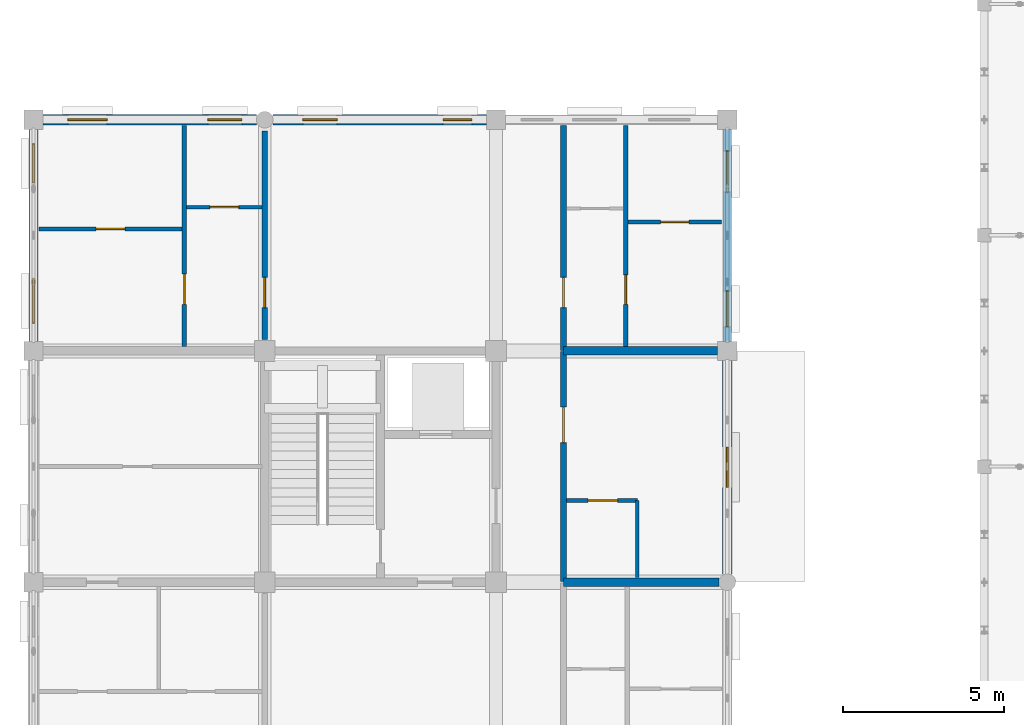
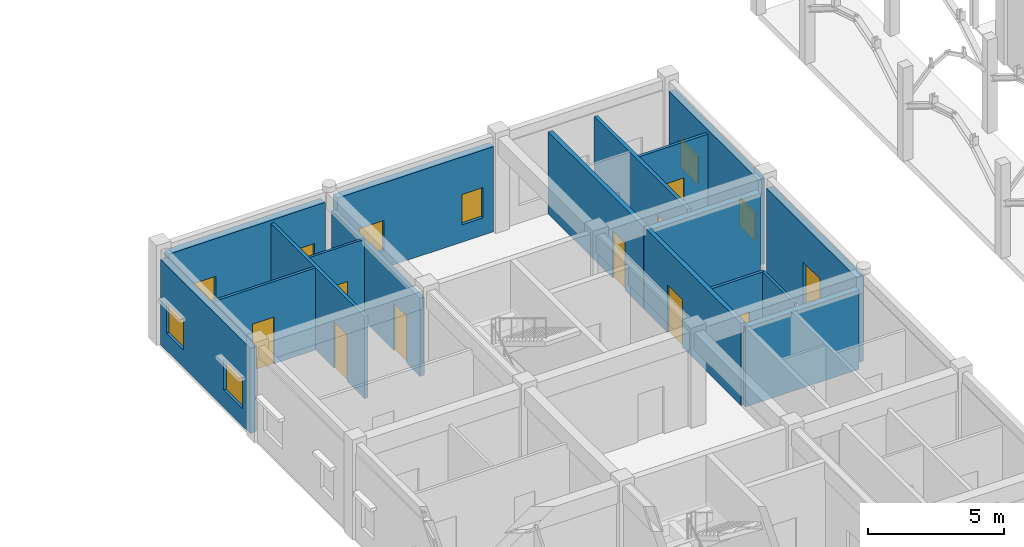
# One storey, part 107 of 138: 17 walls, 10 doors, 8 windows, 18 openings.
"""IFC4 building model written with IfcOpenShell, lengths in metres."""

from ifc_helpers import new_model, si_unit, direction, frame, frame_2d, origin, place, context, subcontext, project, spatial, rectangle, extrude, material, layer, layer_set, type_object, element, fill, save


model = new_model("IFC4")

# Units and contexts
model_context = context("Model", 3, precision=1e-05, world=origin(), true_north=direction((0.0, 1.0)))
body_context = subcontext(model_context, "Body", "Model", "MODEL_VIEW")
ifc_project = project(units=[si_unit("LENGTHUNIT", "METRE"), si_unit("AREAUNIT", "SQUARE_METRE"), si_unit("VOLUMEUNIT", "CUBIC_METRE"), si_unit("PLANEANGLEUNIT", "RADIAN"), si_unit("MASSUNIT", "GRAM", prefix="KILO"), si_unit("THERMODYNAMICTEMPERATUREUNIT", "KELVIN"), si_unit("POWERUNIT", "WATT")], contexts=[model_context])

# Site, building, storey
site_placement = place(None, origin())
site = spatial("IfcSite", under=ifc_project, at=site_placement, CompositionType="ELEMENT")
building_placement = place(site_placement, origin())
building = spatial("IfcBuilding", under=site, at=building_placement, Name="Tavuni Mirador Residences", CompositionType="ELEMENT")
storey_placement = place(building_placement, origin())
storey = spatial("IfcBuildingStorey", under=building, at=storey_placement, Name="L00", CompositionType="ELEMENT", Elevation=0.0)

# Wall, opening, door
ifc_material_1 = material(Name="Precast concrete C40/50", Category="concrete")
ifc_layer_1 = layer(ifc_material_1, 0.18505859375, Name="Precast concrete C40/50", Category="concrete")
ifc_layer_set_1 = layer_set([ifc_layer_1], Name="Precast concrete C40/50")
wall_type_1 = type_object("IfcWallType", Name="WT-CORR185", PredefinedType="PARTITIONING", material=ifc_layer_set_1)
wall_1_placement = place(storey_placement, frame((20.10009765625, 86.419921875, 0.0), z_axis=(0.0, 0.0, 1.0), x_axis=(0.0, 1.0, 0.0)))
wall_1 = element("IfcWall", 1, at=wall_1_placement, inside=storey, type_object=wall_type_1, Name="CORW-BLK-B-L00-0-03", PredefinedType="PARTITIONING", context=body_context, shape_type="SweptSolid", body=[
    extrude(rectangle(XDim=7.16015625, YDim=0.18505859375, at=frame_2d((3.580078125, 0.0))), origin(), (0.0, 0.0, 1.0), 3.695068359375),
])
opening_1_placement = place(wall_1_placement, frame((4.330078125, 0.0, 0.0)))
opening_1 = element("IfcOpeningElement", 2, at=opening_1_placement, cuts=wall_1, Name="Opening D-02", PredefinedType="OPENING", context=body_context, shape_type="SweptSolid", body=[
    extrude(rectangle(XDim=1.10009765625, YDim=2.14990234375, at=frame_2d((0.550048828125, 1.074951171875))), frame((0.0, 0.1025390625, 0.0), z_axis=(0.0, -1.0, 0.0), x_axis=(1.0, 0.0, 0.0)), (0.0, 0.0, 1.0), 0.205078125),
])
ifc_material_2 = material(Name="Solid core iroko timber", Category="wood")
door_type_1 = type_object("IfcDoorType", Name="DT-LOB1100", OperationType="NOTDEFINED", PredefinedType="DOOR", material=ifc_material_2)
door_1_placement = place(opening_1_placement, origin())
door_1 = element("IfcDoor", 3, at=door_1_placement, inside=storey, type_object=door_type_1, Name="DR-2532", OperationType="SINGLE_SWING_LEFT", OverallHeight=2.14990234375, OverallWidth=1.10009765625, PredefinedType="DOOR", context=body_context, shape_type="SweptSolid", body=[
    extrude(rectangle(XDim=1.10009765625, YDim=2.14990234375, at=frame_2d((0.550048828125, 1.074951171875))), frame((0.0, 0.02490234375, 0.0), z_axis=(0.0, -1.0, 0.0), x_axis=(1.0, 0.0, 0.0)), (0.0, 0.0, 1.0), 0.050048828125),
])
fill(opening_1, door_1)

wall_2_placement = place(storey_placement, frame((20.10009765625, 93.6201171875, 0.0), z_axis=(0.0, 0.0, 1.0), x_axis=(0.0, 1.0, 0.0)))
wall_2 = element("IfcWall", 4, at=wall_2_placement, inside=storey, type_object=wall_type_1, Name="CORW-BLK-B-L00-0-04", PredefinedType="PARTITIONING", context=body_context, shape_type="SweptSolid", body=[
    extrude(rectangle(XDim=7.0048828125, YDim=0.18505859375, at=frame_2d((3.50244140625, 0.0))), origin(), (0.0, 0.0, 1.0), 3.695068359375),
])
opening_2_placement = place(wall_2_placement, frame((1.330078125, 0.0, 0.0)))
opening_2 = element("IfcOpeningElement", 5, at=opening_2_placement, cuts=wall_2, Name="Opening D-19", PredefinedType="OPENING", context=body_context, shape_type="SweptSolid", body=[
    extrude(rectangle(XDim=0.93994140625, YDim=2.1201171875, at=frame_2d((0.469970703125, 1.06005859375))), frame((0.0, 0.1025390625, 0.0), z_axis=(0.0, -1.0, 0.0), x_axis=(1.0, 0.0, 0.0)), (0.0, 0.0, 1.0), 0.205078125),
])
door_type_2 = type_object("IfcDoorType", Name="DT-FD60-940", OperationType="NOTDEFINED", PredefinedType="DOOR", material=ifc_material_2)
door_2_placement = place(opening_2_placement, origin())
door_2 = element("IfcDoor", 6, at=door_2_placement, inside=storey, type_object=door_type_2, Name="DR-2533", OperationType="SINGLE_SWING_RIGHT", OverallHeight=2.1201171875, OverallWidth=0.93994140625, PredefinedType="DOOR", context=body_context, shape_type="SweptSolid", body=[
    extrude(rectangle(XDim=0.93994140625, YDim=2.1201171875, at=frame_2d((0.469970703125, 1.06005859375))), frame((0.0, 0.02490234375, 0.0), z_axis=(0.0, -1.0, 0.0), x_axis=(1.0, 0.0, 0.0)), (0.0, 0.0, 1.0), 0.050048828125),
])
fill(opening_2, door_2)

wall_3_placement = place(storey_placement, frame((10.800048828125, 93.949951171875, 0.0), z_axis=(0.0, 0.0, 1.0), x_axis=(0.0, 1.0, 0.0)))
wall_3 = element("IfcWall", 7, at=wall_3_placement, inside=storey, type_object=wall_type_1, Name="CORW-BLK-B-L00-1-04", PredefinedType="PARTITIONING", context=body_context, shape_type="SweptSolid", body=[
    extrude(rectangle(XDim=6.5, YDim=0.18505859375, at=frame_2d((3.25, 0.0))), origin(), (0.0, 0.0, 1.0), 3.510009765625),
])
opening_3_placement = place(wall_3_placement, frame((1.0, 0.0, 0.0)))
opening_3 = element("IfcOpeningElement", 8, at=opening_3_placement, cuts=wall_3, Name="Opening D-19", PredefinedType="OPENING", context=body_context, shape_type="SweptSolid", body=[
    extrude(rectangle(XDim=0.93994140625, YDim=2.1201171875, at=frame_2d((0.469970703125, 1.06005859375))), frame((0.0, 0.1025390625, 0.0), z_axis=(0.0, -1.0, 0.0), x_axis=(1.0, 0.0, 0.0)), (0.0, 0.0, 1.0), 0.205078125),
])
door_3_placement = place(opening_3_placement, origin())
door_3 = element("IfcDoor", 9, at=door_3_placement, inside=storey, type_object=door_type_2, Name="DR-2536", OperationType="SINGLE_SWING_LEFT", OverallHeight=2.1201171875, OverallWidth=0.93994140625, PredefinedType="DOOR", context=body_context, shape_type="SweptSolid", body=[
    extrude(rectangle(XDim=0.93994140625, YDim=2.1201171875, at=frame_2d((0.469970703125, 1.06005859375))), frame((0.0, 0.02490234375, 0.0), z_axis=(0.0, -1.0, 0.0), x_axis=(1.0, 0.0, 0.0)), (0.0, 0.0, 1.0), 0.050048828125),
])
fill(opening_3, door_3)

# Wall, openings, windows
ifc_layer_2 = layer(ifc_material_1, 0.330078125, Name="Precast concrete C40/50", Category="concrete")
ifc_layer_set_2 = layer_set([ifc_layer_2], Name="Precast concrete C40/50")
wall_type_2 = type_object("IfcWallType", Name="WT-EXT-COR330", PredefinedType="SOLIDWALL", material=ifc_layer_set_2)
wall_4_placement = place(storey_placement, frame((10.5400390625, 100.800048828125, 0.0), z_axis=(0.0, 0.0, 1.0), x_axis=(-1.0, 0.0, 0.0)))
wall_4 = element("IfcWall", 10, at=wall_4_placement, inside=storey, type_object=wall_type_2, Name="EW-BLK-B-L00-N00", PredefinedType="SOLIDWALL", context=body_context, shape_type="SweptSolid", body=[
    extrude(rectangle(XDim=6.64013671875, YDim=0.330078125, at=frame_2d((3.320068359375, 0.0))), origin(), (0.0, 0.0, 1.0), 3.830078125),
])
opening_4_placement = place(wall_4_placement, frame((0.449951171875, 0.0, 0.780029296875)))
opening_4 = element("IfcOpeningElement", 11, at=opening_4_placement, cuts=wall_4, Name="Opening WN-19", PredefinedType="OPENING", context=body_context, shape_type="SweptSolid", body=[
    extrude(rectangle(XDim=1.06005859375, YDim=1.360107421875, at=frame_2d((0.530029296875, 0.68017578125))), frame((0.0, 0.175048828125, 0.0), z_axis=(0.0, -1.0, 0.0), x_axis=(1.0, 0.0, 0.0)), (0.0, 0.0, 1.0), 0.35009765625),
])
opening_5_placement = place(wall_4_placement, frame((4.64990234375, 0.0, 0.780029296875)))
opening_5 = element("IfcOpeningElement", 12, at=opening_5_placement, cuts=wall_4, Name="Opening WN-21", PredefinedType="OPENING", context=body_context, shape_type="SweptSolid", body=[
    extrude(rectangle(XDim=1.219970703125, YDim=1.360107421875, at=frame_2d((0.60986328125, 0.68017578125))), frame((0.0, 0.175048828125, 0.0), z_axis=(0.0, -1.0, 0.0), x_axis=(1.0, 0.0, 0.0)), (0.0, 0.0, 1.0), 0.35009765625),
])
ifc_material_3 = material(Name="Laminated solar-control glass", Category="glass")
window_type_1 = type_object("IfcWindowType", Name="WNT-19", PartitioningType="SINGLE_PANEL", PredefinedType="WINDOW", material=ifc_material_3)
window_1_placement = place(opening_4_placement, origin())
window_1 = element("IfcWindow", 13, at=window_1_placement, inside=storey, type_object=window_type_1, Name="WIN-0558", OverallHeight=1.360107421875, OverallWidth=1.06005859375, PartitioningType="SINGLE_PANEL", PredefinedType="WINDOW", context=body_context, shape_type="SweptSolid", body=[
    extrude(rectangle(XDim=1.06005859375, YDim=1.360107421875, at=frame_2d((0.530029296875, 0.68017578125))), frame((0.0, 0.030029296875, 0.0), z_axis=(0.0, -1.0, 0.0), x_axis=(1.0, 0.0, 0.0)), (0.0, 0.0, 1.0), 0.06005859375),
])
fill(opening_4, window_1)
window_type_2 = type_object("IfcWindowType", Name="WNT-21", PartitioningType="SINGLE_PANEL", PredefinedType="WINDOW", material=ifc_material_3)
window_2_placement = place(opening_5_placement, origin())
window_2 = element("IfcWindow", 14, at=window_2_placement, inside=storey, type_object=window_type_2, Name="WIN-0559", OverallHeight=1.360107421875, OverallWidth=1.219970703125, PartitioningType="SINGLE_PANEL", PredefinedType="WINDOW", context=body_context, shape_type="SweptSolid", body=[
    extrude(rectangle(XDim=1.219970703125, YDim=1.360107421875, at=frame_2d((0.60986328125, 0.68017578125))), frame((0.0, 0.030029296875, 0.0), z_axis=(0.0, -1.0, 0.0), x_axis=(1.0, 0.0, 0.0)), (0.0, 0.0, 1.0), 0.06005859375),
])
fill(opening_5, window_2)

ifc_material_4 = material(Name="Sgraffito lime-rendered precast concrete C40/50", Category="concrete")
ifc_layer_3 = layer(ifc_material_4, 0.27490234375, Name="Sgraffito lime-rendered precast concrete C40/50", Category="concrete")
ifc_layer_set_3 = layer_set([ifc_layer_3], Name="Sgraffito lime-rendered precast concrete C40/50")
wall_type_3 = type_object("IfcWallType", Name="WT-EXT-PC275", PredefinedType="SOLIDWALL", material=ifc_layer_set_3)
wall_5_placement = place(storey_placement, frame((25.199951171875, 93.89990234375, 0.0), z_axis=(0.0, 0.0, 1.0), x_axis=(0.0, 1.0, 0.0)))
wall_5 = element("IfcWall", 15, at=wall_5_placement, inside=storey, type_object=wall_type_3, Name="EW-BLK-B-L00-E04", PredefinedType="SOLIDWALL", context=body_context, shape_type="SweptSolid", body=[
    extrude(rectangle(XDim=6.60009765625, YDim=0.27490234375, at=frame_2d((3.300048828125, 0.0))), origin(), (0.0, 0.0, 1.0), 3.830078125),
])
opening_6_placement = place(wall_5_placement, frame((0.449951171875, 0.0, 0.780029296875)))
opening_6 = element("IfcOpeningElement", 16, at=opening_6_placement, cuts=wall_5, Name="Opening WN-12", PredefinedType="OPENING", context=body_context, shape_type="SweptSolid", body=[
    extrude(rectangle(XDim=1.1201171875, YDim=1.260009765625, at=frame_2d((0.56005859375, 0.6298828125))), frame((0.0, 0.1474609375, 0.0), z_axis=(0.0, -1.0, 0.0), x_axis=(1.0, 0.0, 0.0)), (0.0, 0.0, 1.0), 0.294921875),
])
opening_7_placement = place(wall_5_placement, frame((4.64990234375, 0.0, 0.780029296875)))
opening_7 = element("IfcOpeningElement", 17, at=opening_7_placement, cuts=wall_5, Name="Opening WN-14", PredefinedType="OPENING", context=body_context, shape_type="SweptSolid", body=[
    extrude(rectangle(XDim=1.280029296875, YDim=1.260009765625, at=frame_2d((0.64013671875, 0.6298828125))), frame((0.0, 0.1474609375, 0.0), z_axis=(0.0, -1.0, 0.0), x_axis=(1.0, 0.0, 0.0)), (0.0, 0.0, 1.0), 0.294921875),
])
window_type_3 = type_object("IfcWindowType", Name="WNT-12", PartitioningType="SINGLE_PANEL", PredefinedType="WINDOW", material=ifc_material_3)
window_3_placement = place(opening_6_placement, origin())
window_3 = element("IfcWindow", 18, at=window_3_placement, inside=storey, type_object=window_type_3, Name="WIN-0551", OverallHeight=1.260009765625, OverallWidth=1.1201171875, PartitioningType="SINGLE_PANEL", PredefinedType="WINDOW", context=body_context, shape_type="SweptSolid", body=[
    extrude(rectangle(XDim=1.1201171875, YDim=1.260009765625, at=frame_2d((0.56005859375, 0.6298828125))), frame((0.0, 0.030029296875, 0.0), z_axis=(0.0, -1.0, 0.0), x_axis=(1.0, 0.0, 0.0)), (0.0, 0.0, 1.0), 0.06005859375),
])
fill(opening_6, window_3)
window_type_4 = type_object("IfcWindowType", Name="WNT-14", PartitioningType="SINGLE_PANEL", PredefinedType="WINDOW", material=ifc_material_3)
window_4_placement = place(opening_7_placement, origin())
window_4 = element("IfcWindow", 19, at=window_4_placement, inside=storey, type_object=window_type_4, Name="WIN-0552", OverallHeight=1.260009765625, OverallWidth=1.280029296875, PartitioningType="SINGLE_PANEL", PredefinedType="WINDOW", context=body_context, shape_type="SweptSolid", body=[
    extrude(rectangle(XDim=1.280029296875, YDim=1.260009765625, at=frame_2d((0.64013671875, 0.6298828125))), frame((0.0, 0.030029296875, 0.0), z_axis=(0.0, -1.0, 0.0), x_axis=(1.0, 0.0, 0.0)), (0.0, 0.0, 1.0), 0.06005859375),
])
fill(opening_7, window_4)

wall_6_placement = place(storey_placement, frame((3.60009765625, 100.5, 0.0), z_axis=(0.0, 0.0, 1.0), x_axis=(0.0, -1.0, 0.0)))
wall_6 = element("IfcWall", 20, at=wall_6_placement, inside=storey, type_object=wall_type_3, Name="EW-BLK-B-L00-W04", PredefinedType="SOLIDWALL", context=body_context, shape_type="SweptSolid", body=[
    extrude(rectangle(XDim=6.60009765625, YDim=0.27490234375, at=frame_2d((3.300048828125, 0.0))), origin(), (0.0, 0.0, 1.0), 3.830078125),
])
opening_8_placement = place(wall_6_placement, frame((0.449951171875, 0.0, 0.780029296875)))
opening_8 = element("IfcOpeningElement", 21, at=opening_8_placement, cuts=wall_6, Name="Opening WN-21", PredefinedType="OPENING", context=body_context, shape_type="SweptSolid", body=[
    extrude(rectangle(XDim=1.219970703125, YDim=1.360107421875, at=frame_2d((0.60986328125, 0.68017578125))), frame((0.0, 0.1474609375, 0.0), z_axis=(0.0, -1.0, 0.0), x_axis=(1.0, 0.0, 0.0)), (0.0, 0.0, 1.0), 0.294921875),
])
opening_9_placement = place(wall_6_placement, frame((4.64990234375, 0.0, 0.780029296875)))
opening_9 = element("IfcOpeningElement", 22, at=opening_9_placement, cuts=wall_6, Name="Opening WN-23", PredefinedType="OPENING", context=body_context, shape_type="SweptSolid", body=[
    extrude(rectangle(XDim=1.3798828125, YDim=1.360107421875, at=frame_2d((0.68994140625, 0.68017578125))), frame((0.0, 0.1474609375, 0.0), z_axis=(0.0, -1.0, 0.0), x_axis=(1.0, 0.0, 0.0)), (0.0, 0.0, 1.0), 0.294921875),
])
window_5_placement = place(opening_8_placement, origin())
window_5 = element("IfcWindow", 23, at=window_5_placement, inside=storey, type_object=window_type_2, Name="WIN-0560", OverallHeight=1.360107421875, OverallWidth=1.219970703125, PartitioningType="SINGLE_PANEL", PredefinedType="WINDOW", context=body_context, shape_type="SweptSolid", body=[
    extrude(rectangle(XDim=1.219970703125, YDim=1.360107421875, at=frame_2d((0.60986328125, 0.68017578125))), frame((0.0, 0.030029296875, 0.0), z_axis=(0.0, -1.0, 0.0), x_axis=(1.0, 0.0, 0.0)), (0.0, 0.0, 1.0), 0.06005859375),
])
fill(opening_8, window_5)
window_type_5 = type_object("IfcWindowType", Name="WNT-23", PartitioningType="SINGLE_PANEL", PredefinedType="WINDOW", material=ifc_material_3)
window_6_placement = place(opening_9_placement, origin())
window_6 = element("IfcWindow", 24, at=window_6_placement, inside=storey, type_object=window_type_5, Name="WIN-0561", OverallHeight=1.360107421875, OverallWidth=1.3798828125, PartitioningType="SINGLE_PANEL", PredefinedType="WINDOW", context=body_context, shape_type="SweptSolid", body=[
    extrude(rectangle(XDim=1.3798828125, YDim=1.360107421875, at=frame_2d((0.68994140625, 0.68017578125))), frame((0.0, 0.030029296875, 0.0), z_axis=(0.0, -1.0, 0.0), x_axis=(1.0, 0.0, 0.0)), (0.0, 0.0, 1.0), 0.06005859375),
])
fill(opening_9, window_6)

# Wall, opening, door
ifc_layer_4 = layer(ifc_material_4, 0.2900390625, Name="Sgraffito lime-rendered precast concrete C40/50", Category="concrete")
ifc_layer_set_4 = layer_set([ifc_layer_4], Name="Sgraffito lime-rendered precast concrete C40/50")
wall_type_4 = type_object("IfcWallType", Name="WT-EXT-PC290", PredefinedType="SOLIDWALL", material=ifc_layer_set_4)
wall_7_placement = place(storey_placement, frame((25.199951171875, 86.659912109375, 0.0), z_axis=(0.0, 0.0, 1.0), x_axis=(0.0, 1.0, 0.0)))
wall_7 = element("IfcWall", 25, at=wall_7_placement, inside=storey, type_object=wall_type_4, Name="EW-BLK-B-L00-E03", PredefinedType="SOLIDWALL", context=body_context, shape_type="SweptSolid", body=[
    extrude(rectangle(XDim=6.64013671875, YDim=0.2900390625, at=frame_2d((3.320068359375, 0.0))), origin(), (0.0, 0.0, 1.0), 3.830078125),
])
opening_10_placement = place(wall_7_placement, frame((2.695068359375, 0.0, 0.0)))
opening_10 = element("IfcOpeningElement", 26, at=opening_10_placement, cuts=wall_7, Name="Opening ND-01", PredefinedType="OPENING", context=body_context, shape_type="SweptSolid", body=[
    extrude(rectangle(XDim=1.25, YDim=2.14990234375, at=frame_2d((0.625, 1.074951171875))), frame((0.0, 0.155029296875, 0.0), z_axis=(0.0, -1.0, 0.0), x_axis=(1.0, 0.0, 0.0)), (0.0, 0.0, 1.0), 0.31005859375),
])
door_type_3 = type_object("IfcDoorType", Name="DT-NUR1250", OperationType="NOTDEFINED", PredefinedType="DOOR", material=ifc_material_2)
door_4_placement = place(opening_10_placement, frame((1.25, 0.0, 0.0), z_axis=(0.0, 0.0, 1.0), x_axis=(-1.0, 0.0, 0.0)))
door_4 = element("IfcDoor", 27, at=door_4_placement, inside=storey, type_object=door_type_3, Name="Final exit door EX-008", OperationType="SINGLE_SWING_LEFT", OverallHeight=2.14990234375, OverallWidth=1.25, PredefinedType="DOOR", context=body_context, shape_type="SweptSolid", body=[
    extrude(rectangle(XDim=1.25, YDim=2.14990234375, at=frame_2d((0.625, 1.074951171875))), frame((0.0, 0.02490234375, 0.0), z_axis=(0.0, -1.0, 0.0), x_axis=(1.0, 0.0, 0.0)), (0.0, 0.0, 1.0), 0.050048828125),
])
fill(opening_10, door_4)

# Wall, openings, windows
ifc_layer_5 = layer(ifc_material_4, 0.31494140625, Name="Sgraffito lime-rendered precast concrete C40/50", Category="concrete")
ifc_layer_set_5 = layer_set([ifc_layer_5], Name="Sgraffito lime-rendered precast concrete C40/50")
wall_type_5 = type_object("IfcWallType", Name="WT-EXT-PC315", PredefinedType="SOLIDWALL", material=ifc_layer_set_5)
wall_8_placement = place(storey_placement, frame((17.699951171875, 100.800048828125, 0.0), z_axis=(0.0, 0.0, 1.0), x_axis=(-1.0, 0.0, 0.0)))
wall_8 = element("IfcWall", 28, at=wall_8_placement, inside=storey, type_object=wall_type_5, Name="EW-BLK-B-L00-N01", PredefinedType="SOLIDWALL", context=body_context, shape_type="SweptSolid", body=[
    extrude(rectangle(XDim=6.639892578125, YDim=0.31494140625, at=frame_2d((3.31982421875, 0.0))), origin(), (0.0, 0.0, 1.0), 3.830078125),
])
opening_11_placement = place(wall_8_placement, frame((0.449951171875, 0.0, 0.780029296875)))
opening_11 = element("IfcOpeningElement", 29, at=opening_11_placement, cuts=wall_8, Name="Opening WN-17", PredefinedType="OPENING", context=body_context, shape_type="SweptSolid", body=[
    extrude(rectangle(XDim=0.89990234375, YDim=1.360107421875, at=frame_2d((0.449951171875, 0.68017578125))), frame((0.0, 0.16748046875, 0.0), z_axis=(0.0, -1.0, 0.0), x_axis=(1.0, 0.0, 0.0)), (0.0, 0.0, 1.0), 0.3349609375),
])
opening_12_placement = place(wall_8_placement, frame((4.64990234375, 0.0, 0.780029296875)))
opening_12 = element("IfcOpeningElement", 30, at=opening_12_placement, cuts=wall_8, Name="Opening WN-19", PredefinedType="OPENING", context=body_context, shape_type="SweptSolid", body=[
    extrude(rectangle(XDim=1.06005859375, YDim=1.360107421875, at=frame_2d((0.530029296875, 0.68017578125))), frame((0.0, 0.16748046875, 0.0), z_axis=(0.0, -1.0, 0.0), x_axis=(1.0, 0.0, 0.0)), (0.0, 0.0, 1.0), 0.3349609375),
])
window_type_6 = type_object("IfcWindowType", Name="WNT-17", PartitioningType="SINGLE_PANEL", PredefinedType="WINDOW", material=ifc_material_3)
window_7_placement = place(opening_11_placement, origin())
window_7 = element("IfcWindow", 31, at=window_7_placement, inside=storey, type_object=window_type_6, Name="WIN-0556", OverallHeight=1.360107421875, OverallWidth=0.89990234375, PartitioningType="SINGLE_PANEL", PredefinedType="WINDOW", context=body_context, shape_type="SweptSolid", body=[
    extrude(rectangle(XDim=0.89990234375, YDim=1.360107421875, at=frame_2d((0.449951171875, 0.68017578125))), frame((0.0, 0.030029296875, 0.0), z_axis=(0.0, -1.0, 0.0), x_axis=(1.0, 0.0, 0.0)), (0.0, 0.0, 1.0), 0.06005859375),
])
fill(opening_11, window_7)
window_8_placement = place(opening_12_placement, origin())
window_8 = element("IfcWindow", 32, at=window_8_placement, inside=storey, type_object=window_type_1, Name="WIN-0557", OverallHeight=1.360107421875, OverallWidth=1.06005859375, PartitioningType="SINGLE_PANEL", PredefinedType="WINDOW", context=body_context, shape_type="SweptSolid", body=[
    extrude(rectangle(XDim=1.06005859375, YDim=1.360107421875, at=frame_2d((0.530029296875, 0.68017578125))), frame((0.0, 0.030029296875, 0.0), z_axis=(0.0, -1.0, 0.0), x_axis=(1.0, 0.0, 0.0)), (0.0, 0.0, 1.0), 0.06005859375),
])
fill(opening_12, window_8)

# Wall, opening, door
ifc_material_5 = material(Name="Acoustic gypsum and concrete block partition", Category="concrete")
ifc_layer_6 = layer(ifc_material_5, 0.10498046875, Name="Acoustic gypsum and concrete block partition", Category="concrete")
ifc_layer_set_6 = layer_set([ifc_layer_6], Name="Acoustic gypsum and concrete block partition")
wall_type_6 = type_object("IfcWallType", Name="WT-PART105", PredefinedType="PARTITIONING", material=ifc_layer_set_6)
wall_9_placement = place(storey_placement, frame((8.3701171875, 98.080078125, 0.0), z_axis=(0.0, 0.0, 1.0), x_axis=(1.0, 0.0, 0.0)))
wall_9 = element("IfcWall", 33, at=wall_9_placement, inside=storey, type_object=wall_type_6, Name="PW-BLK-B-L00-W04-IN1", PredefinedType="PARTITIONING", context=body_context, shape_type="SweptSolid", body=[
    extrude(rectangle(XDim=2.33984375, YDim=0.10498046875, at=frame_2d((1.169921875, 0.0))), origin(), (0.0, 0.0, 1.0), 3.695068359375),
])
opening_13_placement = place(wall_9_placement, frame((0.719970703125, 0.0, 0.0)))
opening_13 = element("IfcOpeningElement", 34, at=opening_13_placement, cuts=wall_9, Name="Opening D-09", PredefinedType="OPENING", context=body_context, shape_type="SweptSolid", body=[
    extrude(rectangle(XDim=0.89990234375, YDim=2.050048828125, at=frame_2d((0.449951171875, 1.02490234375))), frame((0.0, 0.0625, 0.0), z_axis=(0.0, -1.0, 0.0), x_axis=(1.0, 0.0, 0.0)), (0.0, 0.0, 1.0), 0.125),
])
door_type_4 = type_object("IfcDoorType", Name="DT-WC900", OperationType="NOTDEFINED", PredefinedType="DOOR", material=ifc_material_2)
door_5_placement = place(opening_13_placement, origin())
door_5 = element("IfcDoor", 35, at=door_5_placement, inside=storey, type_object=door_type_4, Name="DR-3441", OperationType="SINGLE_SWING_RIGHT", OverallHeight=2.050048828125, OverallWidth=0.89990234375, PredefinedType="DOOR", context=body_context, shape_type="SweptSolid", body=[
    extrude(rectangle(XDim=0.89990234375, YDim=2.050048828125, at=frame_2d((0.449951171875, 1.02490234375))), frame((0.0, 0.02490234375, 0.0), z_axis=(0.0, -1.0, 0.0), x_axis=(1.0, 0.0, 0.0)), (0.0, 0.0, 1.0), 0.050048828125),
])
fill(opening_13, door_5)

# Wall
ifc_layer_7 = layer(ifc_material_5, 0.114990234375, Name="Acoustic gypsum and concrete block partition", Category="concrete")
ifc_layer_set_7 = layer_set([ifc_layer_7], Name="Acoustic gypsum and concrete block partition")
wall_type_7 = type_object("IfcWallType", Name="WT-PART115", PredefinedType="PARTITIONING", material=ifc_layer_set_7)
wall_10_placement = place(storey_placement, frame((22.39990234375, 86.5400390625, 0.0), z_axis=(0.0, 0.0, 1.0), x_axis=(0.0, 1.0, 0.0)))
element("IfcWall", 36, at=wall_10_placement, inside=storey, type_object=wall_type_7, Name="PW-BLK-B-L00-E03-1", PredefinedType="PARTITIONING", context=body_context, shape_type="SweptSolid", body=[
    extrude(rectangle(XDim=2.409912109375, YDim=0.114990234375, at=frame_2d((1.205078125, 0.0))), origin(), (0.0, 0.0, 1.0), 3.695068359375),
])

# Wall, opening, door
wall_11_placement = place(storey_placement, frame((3.77490234375, 97.39990234375, 0.0), z_axis=(0.0, 0.0, 1.0), x_axis=(1.0, 0.0, 0.0)))
wall_11 = element("IfcWall", 37, at=wall_11_placement, inside=storey, type_object=wall_type_7, Name="PW-BLK-B-L00-W04-OUT", PredefinedType="PARTITIONING", context=body_context, shape_type="SweptSolid", body=[
    extrude(rectangle(XDim=4.455078125, YDim=0.114990234375, at=frame_2d((2.2275390625, 0.0))), origin(), (0.0, 0.0, 1.0), 3.695068359375),
])
opening_14_placement = place(wall_11_placement, frame((1.777587890625, 0.0, 0.0)))
opening_14 = element("IfcOpeningElement", 38, at=opening_14_placement, cuts=wall_11, Name="Opening D-07", PredefinedType="OPENING", context=body_context, shape_type="SweptSolid", body=[
    extrude(rectangle(XDim=0.89990234375, YDim=2.10009765625, at=frame_2d((0.449951171875, 1.050048828125))), frame((0.0, 0.0673828125, 0.0), z_axis=(0.0, -1.0, 0.0), x_axis=(1.0, 0.0, 0.0)), (0.0, 0.0, 1.0), 0.135009765625),
])
door_type_5 = type_object("IfcDoorType", Name="DT-BED900", OperationType="NOTDEFINED", PredefinedType="DOOR", material=ifc_material_2)
door_6_placement = place(opening_14_placement, origin())
door_6 = element("IfcDoor", 39, at=door_6_placement, inside=storey, type_object=door_type_5, Name="DR-3440", OperationType="SINGLE_SWING_LEFT", OverallHeight=2.10009765625, OverallWidth=0.89990234375, PredefinedType="DOOR", context=body_context, shape_type="SweptSolid", body=[
    extrude(rectangle(XDim=0.89990234375, YDim=2.10009765625, at=frame_2d((0.449951171875, 1.050048828125))), frame((0.0, 0.02490234375, 0.0), z_axis=(0.0, -1.0, 0.0), x_axis=(1.0, 0.0, 0.0)), (0.0, 0.0, 1.0), 0.050048828125),
])
fill(opening_14, door_6)

ifc_layer_8 = layer(ifc_material_5, 0.125, Name="Acoustic gypsum and concrete block partition", Category="concrete")
ifc_layer_set_8 = layer_set([ifc_layer_8], Name="Acoustic gypsum and concrete block partition")
wall_type_8 = type_object("IfcWallType", Name="WT-PART125", PredefinedType="PARTITIONING", material=ifc_layer_set_8)
wall_12_placement = place(storey_placement, frame((20.18994140625, 88.949951171875, 0.0), z_axis=(0.0, 0.0, 1.0), x_axis=(1.0, 0.0, 0.0)))
wall_12 = element("IfcWall", 40, at=wall_12_placement, inside=storey, type_object=wall_type_8, Name="PW-BLK-B-L00-E03-2", PredefinedType="PARTITIONING", context=body_context, shape_type="SweptSolid", body=[
    extrude(rectangle(XDim=2.2099609375, YDim=0.125, at=frame_2d((1.10498046875, 0.0))), origin(), (0.0, 0.0, 1.0), 3.695068359375),
])
opening_15_placement = place(wall_12_placement, frame((0.679931640625, 0.0, 0.0)))
opening_15 = element("IfcOpeningElement", 41, at=opening_15_placement, cuts=wall_12, Name="Opening D-06", PredefinedType="OPENING", context=body_context, shape_type="SweptSolid", body=[
    extrude(rectangle(XDim=0.919921875, YDim=2.10009765625, at=frame_2d((0.4599609375, 1.050048828125))), frame((0.0, 0.072509765625, 0.0), z_axis=(0.0, -1.0, 0.0), x_axis=(1.0, 0.0, 0.0)), (0.0, 0.0, 1.0), 0.14501953125),
])
door_type_6 = type_object("IfcDoorType", Name="DT-INT920", OperationType="NOTDEFINED", PredefinedType="DOOR", material=ifc_material_2)
door_7_placement = place(opening_15_placement, origin())
door_7 = element("IfcDoor", 42, at=door_7_placement, inside=storey, type_object=door_type_6, Name="DR-3439", OperationType="SINGLE_SWING_LEFT", OverallHeight=2.10009765625, OverallWidth=0.919921875, PredefinedType="DOOR", context=body_context, shape_type="SweptSolid", body=[
    extrude(rectangle(XDim=0.919921875, YDim=2.10009765625, at=frame_2d((0.4599609375, 1.050048828125))), frame((0.0, 0.02490234375, 0.0), z_axis=(0.0, -1.0, 0.0), x_axis=(1.0, 0.0, 0.0)), (0.0, 0.0, 1.0), 0.050048828125),
])
fill(opening_15, door_7)

wall_13_placement = place(storey_placement, frame((22.110107421875, 97.6201171875, 0.0), z_axis=(0.0, 0.0, 1.0), x_axis=(1.0, 0.0, 0.0)))
wall_13 = element("IfcWall", 43, at=wall_13_placement, inside=storey, type_object=wall_type_8, Name="PW-BLK-B-L00-E04-OUT", PredefinedType="PARTITIONING", context=body_context, shape_type="SweptSolid", body=[
    extrude(rectangle(XDim=2.914794921875, YDim=0.125, at=frame_2d((1.45751953125, 0.0))), origin(), (0.0, 0.0, 1.0), 3.695068359375),
])
opening_16_placement = place(wall_13_placement, frame((1.017578125, 0.0, 0.0)))
opening_16 = element("IfcOpeningElement", 44, at=opening_16_placement, cuts=wall_13, Name="Opening D-08", PredefinedType="OPENING", context=body_context, shape_type="SweptSolid", body=[
    extrude(rectangle(XDim=0.8798828125, YDim=2.080078125, at=frame_2d((0.43994140625, 1.0400390625))), frame((0.0, 0.072509765625, 0.0), z_axis=(0.0, -1.0, 0.0), x_axis=(1.0, 0.0, 0.0)), (0.0, 0.0, 1.0), 0.14501953125),
])
door_type_7 = type_object("IfcDoorType", Name="DT-BED880", OperationType="NOTDEFINED", PredefinedType="DOOR", material=ifc_material_2)
door_8_placement = place(opening_16_placement, origin())
door_8 = element("IfcDoor", 45, at=door_8_placement, inside=storey, type_object=door_type_7, Name="DR-3443", OperationType="SINGLE_SWING_RIGHT", OverallHeight=2.080078125, OverallWidth=0.8798828125, PredefinedType="DOOR", context=body_context, shape_type="SweptSolid", body=[
    extrude(rectangle(XDim=0.8798828125, YDim=2.080078125, at=frame_2d((0.43994140625, 1.0400390625))), frame((0.0, 0.02490234375, 0.0), z_axis=(0.0, -1.0, 0.0), x_axis=(1.0, 0.0, 0.0)), (0.0, 0.0, 1.0), 0.050048828125),
])
fill(opening_16, door_8)

ifc_layer_9 = layer(ifc_material_5, 0.139892578125, Name="Acoustic gypsum and concrete block partition", Category="concrete")
ifc_layer_set_9 = layer_set([ifc_layer_9], Name="Acoustic gypsum and concrete block partition")
wall_type_9 = type_object("IfcWallType", Name="WT-PART140", PredefinedType="PARTITIONING", material=ifc_layer_set_9)
wall_14_placement = place(storey_placement, frame((8.300048828125, 93.739990234375, 0.0), z_axis=(0.0, 0.0, 1.0), x_axis=(0.0, 1.0, 0.0)))
wall_14 = element("IfcWall", 46, at=wall_14_placement, inside=storey, type_object=wall_type_9, Name="PW-BLK-B-L00-W04-MID", PredefinedType="PARTITIONING", context=body_context, shape_type="SweptSolid", body=[
    extrude(rectangle(XDim=6.885009765625, YDim=0.139892578125, at=frame_2d((3.4423828125, 0.0))), origin(), (0.0, 0.0, 1.0), 3.695068359375),
])
opening_17_placement = place(wall_14_placement, frame((1.31005859375, 0.0, 0.0)))
opening_17 = element("IfcOpeningElement", 47, at=opening_17_placement, cuts=wall_14, Name="Opening D-05", PredefinedType="OPENING", context=body_context, shape_type="SweptSolid", body=[
    extrude(rectangle(XDim=0.949951171875, YDim=2.10009765625, at=frame_2d((0.47509765625, 1.050048828125))), frame((0.0, 0.080078125, 0.0), z_axis=(0.0, -1.0, 0.0), x_axis=(1.0, 0.0, 0.0)), (0.0, 0.0, 1.0), 0.159912109375),
])
door_type_8 = type_object("IfcDoorType", Name="DT-INT950", OperationType="NOTDEFINED", PredefinedType="DOOR", material=ifc_material_2)
door_9_placement = place(opening_17_placement, origin())
door_9 = element("IfcDoor", 48, at=door_9_placement, inside=storey, type_object=door_type_8, Name="DR-3442", OperationType="SINGLE_SWING_LEFT", OverallHeight=2.10009765625, OverallWidth=0.949951171875, PredefinedType="DOOR", context=body_context, shape_type="SweptSolid", body=[
    extrude(rectangle(XDim=0.949951171875, YDim=2.10009765625, at=frame_2d((0.47509765625, 1.050048828125))), frame((0.0, 0.02490234375, 0.0), z_axis=(0.0, -1.0, 0.0), x_axis=(1.0, 0.0, 0.0)), (0.0, 0.0, 1.0), 0.050048828125),
])
fill(opening_17, door_9)

ifc_layer_10 = layer(ifc_material_5, 0.14990234375, Name="Acoustic gypsum and concrete block partition", Category="concrete")
ifc_layer_set_10 = layer_set([ifc_layer_10], Name="Acoustic gypsum and concrete block partition")
wall_type_10 = type_object("IfcWallType", Name="WT-PART150", PredefinedType="PARTITIONING", material=ifc_layer_set_10)
wall_15_placement = place(storey_placement, frame((22.0400390625, 93.739990234375, 0.0), z_axis=(0.0, 0.0, 1.0), x_axis=(0.0, 1.0, 0.0)))
wall_15 = element("IfcWall", 49, at=wall_15_placement, inside=storey, type_object=wall_type_10, Name="PW-BLK-B-L00-E04-MID", PredefinedType="PARTITIONING", context=body_context, shape_type="SweptSolid", body=[
    extrude(rectangle(XDim=6.885009765625, YDim=0.14990234375, at=frame_2d((3.4423828125, 0.0))), origin(), (0.0, 0.0, 1.0), 3.695068359375),
])
opening_18_placement = place(wall_15_placement, frame((1.31005859375, 0.0, 0.0)))
opening_18 = element("IfcOpeningElement", 50, at=opening_18_placement, cuts=wall_15, Name="Opening D-06", PredefinedType="OPENING", context=body_context, shape_type="SweptSolid", body=[
    extrude(rectangle(XDim=0.919921875, YDim=2.10009765625, at=frame_2d((0.4599609375, 1.050048828125))), frame((0.0, 0.0849609375, 0.0), z_axis=(0.0, -1.0, 0.0), x_axis=(1.0, 0.0, 0.0)), (0.0, 0.0, 1.0), 0.169921875),
])
door_10_placement = place(opening_18_placement, origin())
door_10 = element("IfcDoor", 51, at=door_10_placement, inside=storey, type_object=door_type_6, Name="DR-3445", OperationType="SINGLE_SWING_RIGHT", OverallHeight=2.10009765625, OverallWidth=0.919921875, PredefinedType="DOOR", context=body_context, shape_type="SweptSolid", body=[
    extrude(rectangle(XDim=0.919921875, YDim=2.10009765625, at=frame_2d((0.4599609375, 1.050048828125))), frame((0.0, 0.02490234375, 0.0), z_axis=(0.0, -1.0, 0.0), x_axis=(1.0, 0.0, 0.0)), (0.0, 0.0, 1.0), 0.050048828125),
])
fill(opening_18, door_10)

# Walls
ifc_layer_11 = layer(ifc_material_1, 0.264892578125, Name="Precast concrete C40/50", Category="concrete")
ifc_layer_set_11 = layer_set([ifc_layer_11], Name="Precast concrete C40/50")
wall_type_11 = type_object("IfcWallType", Name="WT-XW265", PredefinedType="SOLIDWALL", material=ifc_layer_set_11)
wall_16_placement = place(storey_placement, frame((20.10009765625, 86.39990234375, 0.0), z_axis=(0.0, 0.0, 1.0), x_axis=(1.0, 0.0, 0.0)))
element("IfcWall", 52, at=wall_16_placement, inside=storey, type_object=wall_type_11, Name="XW-BLK-B-L00-E-03", PredefinedType="SOLIDWALL", context=body_context, shape_type="SweptSolid", body=[
    extrude(rectangle(XDim=4.83984375, YDim=0.264892578125, at=frame_2d((2.419921875, 0.0))), origin(), (0.0, 0.0, 1.0), 3.56005859375),
])
wall_17_placement = place(storey_placement, frame((20.10009765625, 93.60009765625, 0.0), z_axis=(0.0, 0.0, 1.0), x_axis=(1.0, 0.0, 0.0)))
element("IfcWall", 53, at=wall_17_placement, inside=storey, type_object=wall_type_11, Name="XW-BLK-B-L00-E-04", PredefinedType="SOLIDWALL", context=body_context, shape_type="SweptSolid", body=[
    extrude(rectangle(XDim=4.7998046875, YDim=0.264892578125, at=frame_2d((2.39990234375, 0.0))), origin(), (0.0, 0.0, 1.0), 3.56005859375),
])

save(model, "model.ifc")
